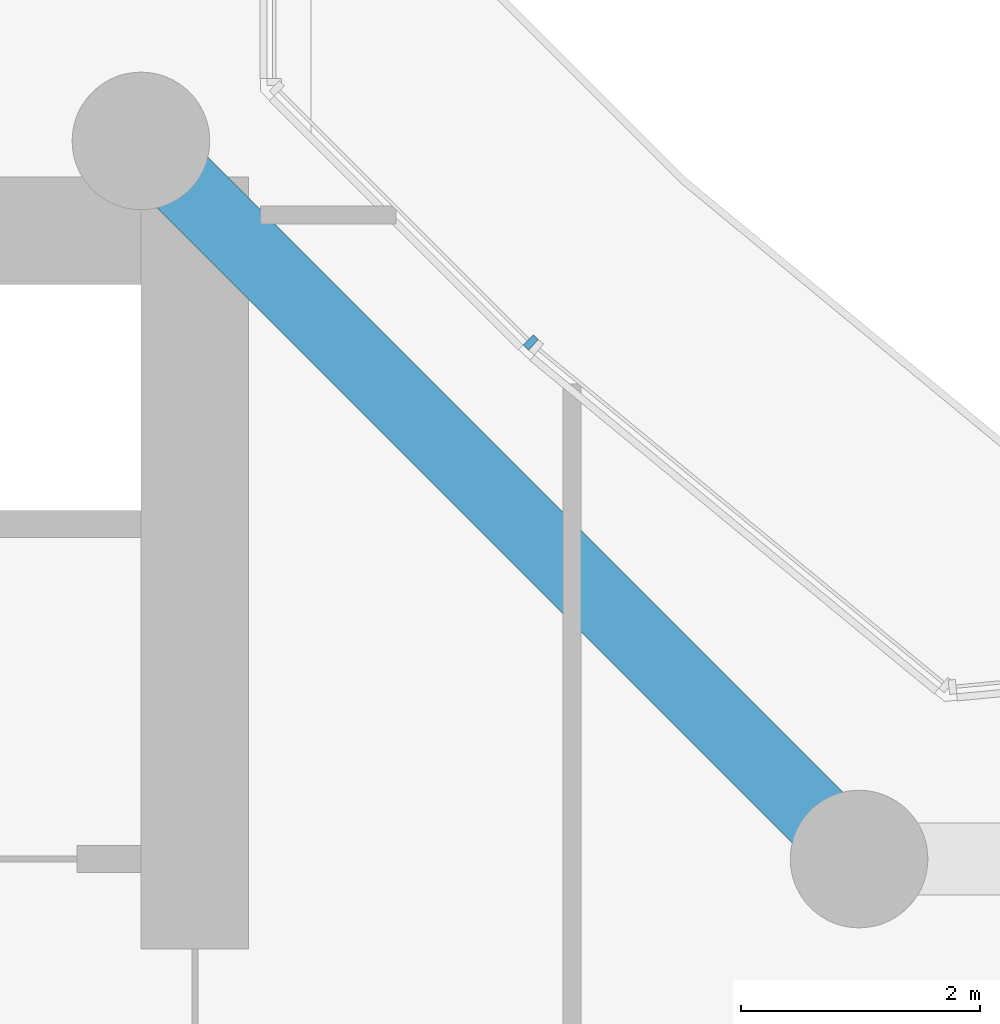
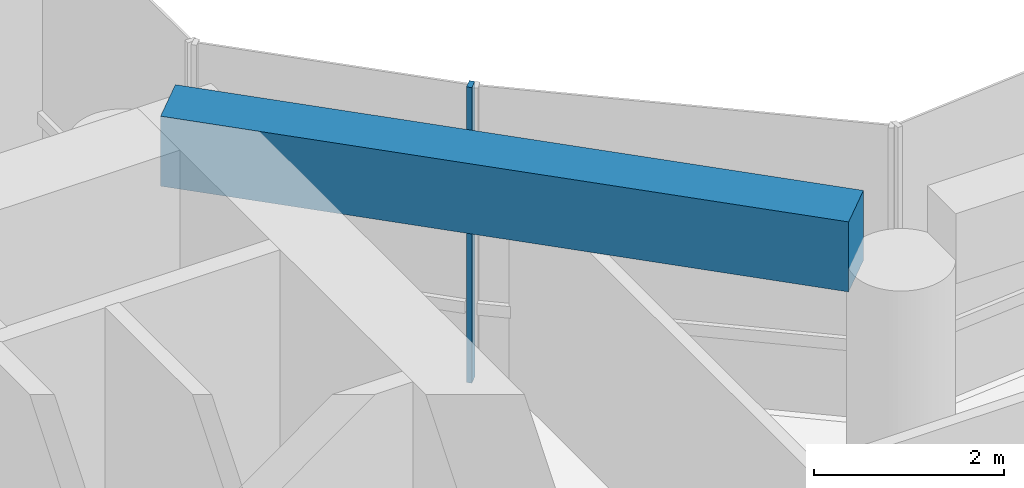
# One storey, part 5 of 30: 1 beam, 1 member, 1 element without a shape of its own.
"""IFC4 building model written with IfcOpenShell, lengths in metres."""

from ifc_helpers import new_model, si_unit, direction, frame, origin, origin_2d, place, context, subcontext, project, spatial, rectangle, extrude, material, layer, layer_set, material_profile, profile_set, type_object, element, aggregate, save


model = new_model("IFC4")

# Units and contexts
model_context = context("Model", 3, precision=1e-05, world=origin(), true_north=direction((0.0, 1.0)))
body_context = subcontext(model_context, "Body", "Model", "MODEL_VIEW")
ifc_project = project(units=[si_unit("LENGTHUNIT", "METRE"), si_unit("AREAUNIT", "SQUARE_METRE"), si_unit("VOLUMEUNIT", "CUBIC_METRE"), si_unit("PLANEANGLEUNIT", "RADIAN"), si_unit("MASSUNIT", "GRAM", prefix="KILO")], contexts=[model_context])

# Site, building, storey
site_placement = place(None, origin())
site = spatial("IfcSite", under=ifc_project, at=site_placement, CompositionType="ELEMENT")
building_placement = place(site_placement, origin())
building = spatial("IfcBuilding", under=site, at=building_placement, Name="Welwitschia Terrace Campus", CompositionType="ELEMENT")
storey_placement = place(building_placement, frame((0.0, 0.0, 75.199951171875)))
storey = spatial("IfcBuildingStorey", under=building, at=storey_placement, Name="L17", CompositionType="ELEMENT", Elevation=75.199951171875)

# Curtain wall, member
ifc_material_1 = material(Name="Bronze anodised aluminium", Category="aluminium")
ifc_layer = layer(ifc_material_1, 0.1201171875)
ifc_layer_set = layer_set([ifc_layer], Name="Bronze anodised aluminium")
curtain_wall_type = type_object("IfcCurtainWallType", Name="Curtain wall CW2 tower 6000", PredefinedType="NOTDEFINED", material=ifc_layer_set)
curtain_wall_placement = place(storey_placement, origin())
curtain_wall = element("IfcCurtainWall", 1, at=curtain_wall_placement, inside=storey, type_object=curtain_wall_type, Name="CW L17.11.0", PredefinedType="NOTDEFINED")
ifc_material_2 = material(Name="Bronze anodised aluminium", Category="aluminium")
ifc_material_profile_1 = material_profile(ifc_material_2, rectangle(XDim=0.1201171875, YDim=0.06005859375, at=origin_2d()))
ifc_profile_set_1 = profile_set([ifc_material_profile_1], Name="Bronze anodised aluminium")
member_type = type_object("IfcMemberType", Name="Mullion 60x120", PredefinedType="MULLION", material=ifc_profile_set_1)
member_placement = place(storey_placement, frame((27.257568359375, 24.31787109375, 0.0), z_axis=(0.0, 0.0, 1.0), x_axis=(-0.707106781187, -0.707106781187, 0.0)))
member = element("IfcMember", 2, at=member_placement, type_object=member_type, Name="Mullion L17.11.0.0", PredefinedType="MULLION", context=body_context, shape_type="SweptSolid", body=[
    extrude(rectangle(XDim=0.1201171875, YDim=0.06005859375, at=origin_2d()), origin(), (0.0, 0.0, 1.0), 3.800048828125),
])
aggregate(curtain_wall, [member])

# Beam
ifc_material_3 = material(Name="Concrete C60/75", Category="concrete")
ifc_material_profile_2 = material_profile(ifc_material_3, rectangle(XDim=0.60009765625, YDim=0.89990234375, at=origin_2d()))
ifc_profile_set_2 = profile_set([ifc_material_profile_2], Name="Concrete C60/75")
beam_type = type_object("IfcBeamType", Name="Ring spandrel 600x900", PredefinedType="SPANDREL", material=ifc_profile_set_2)
beam_placement = place(storey_placement, frame((29.652587890625, 20.347412109375, 3.35009765625), z_axis=(-0.707106781187, 0.707106781187, 0.0), x_axis=(-0.707106781187, -0.707106781187, 0.0)))
element("IfcBeam", 3, at=beam_placement, inside=storey, type_object=beam_type, Name="Spandrel SP2", PredefinedType="SPANDREL", context=body_context, shape_type="SweptSolid", body=[
    extrude(rectangle(XDim=0.60009765625, YDim=0.89990234375, at=origin_2d()), origin(), (0.0, 0.0, 1.0), 7.502685546875),
])

save(model, "model.ifc")
